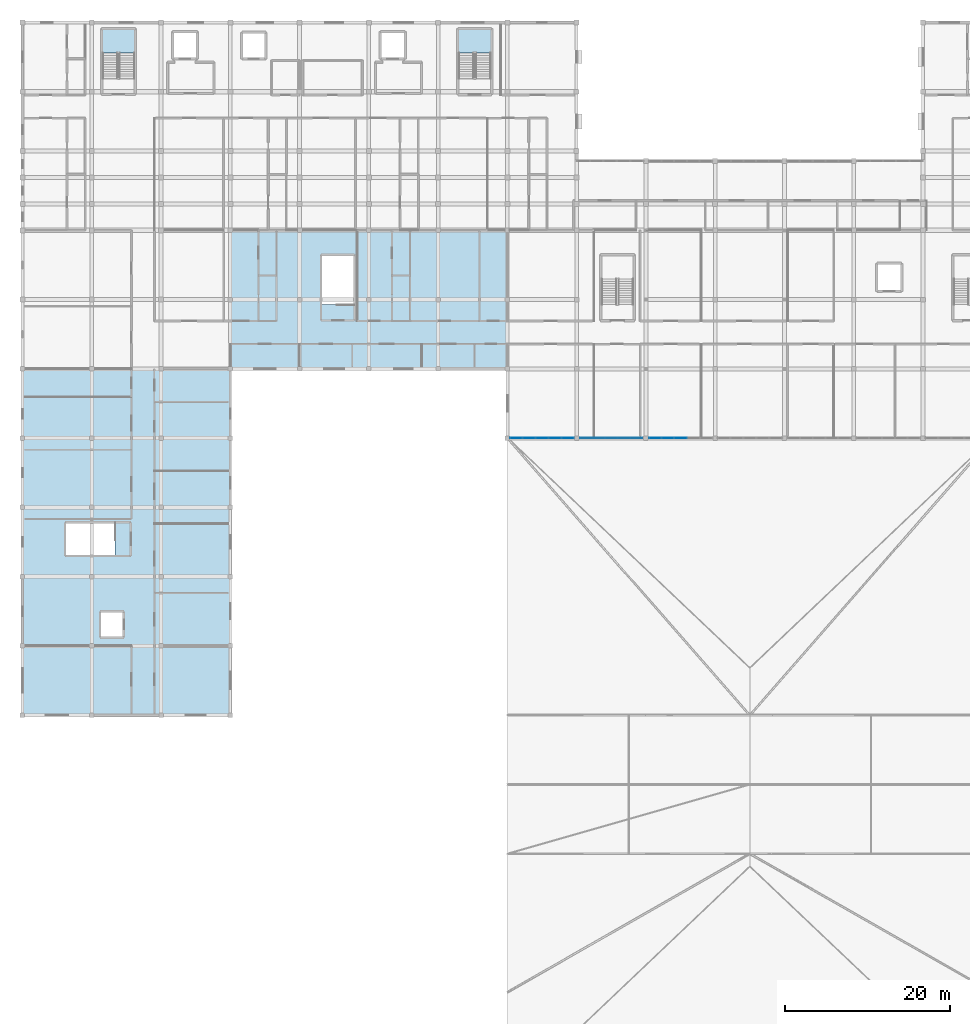
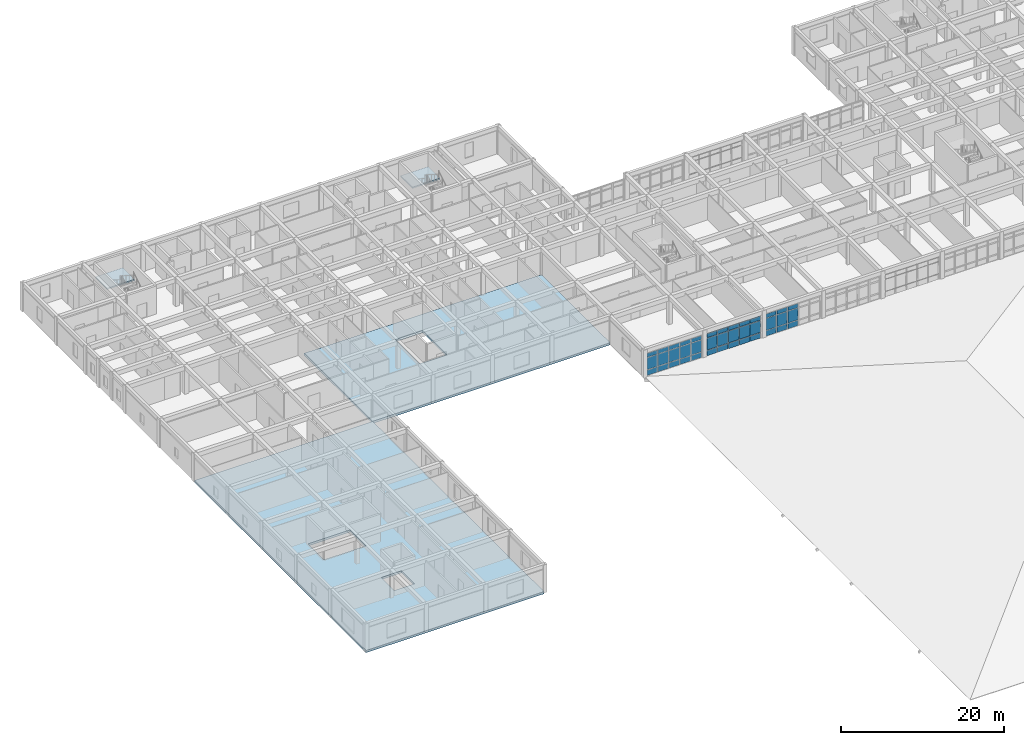
# One storey, part 34 of 77: 39 plates, 4 slabs, 5 elements without a shape of their own.
"""IFC4 building model written with IfcOpenShell, lengths in metres."""

import ifcopenshell
import ifcopenshell.guid

model = None  # the IFC model being written
_history = None  # IfcOwnerHistory: only IFC2X3 demands one
_inside = {}  # id of a spatial element -> (the spatial element, [elements in it])
_under = {}  # id of a project, library or spatial element -> (it, [spatial elements below it])
_declared = {}  # id of a project -> (the project, [libraries it declares])
_typed = {}  # id of a type object -> (the type object, [elements of that type])
_made_of = {}  # id of a material, layer set ... -> (it, [elements and type objects made of it])


def new_model(schema):
    """Start an empty IFC model of exactly this schema.

    Asked for "IFC4X3", IfcOpenShell would pick the latest addendum, in which some entities
    have other attributes; the version numbers below select the first issue.
    IFC2X3 requires an IfcOwnerHistory on every rooted entity: one is made here for all.
    """
    global model, _history
    if schema == "IFC4X3":
        model = ifcopenshell.file(schema_version=(4, 3, 0, 0))
    else:
        model = ifcopenshell.file(schema=schema)
    _inside.clear()
    _under.clear()
    _declared.clear()
    _typed.clear()
    _made_of.clear()
    _history = None
    if model.schema == "IFC2X3":
        org = make("IfcOrganization", Name="unknown")
        user = make(
            "IfcPersonAndOrganization",
            ThePerson=make("IfcPerson", FamilyName="unknown"),
            TheOrganization=org,
        )
        app = make(
            "IfcApplication",
            ApplicationDeveloper=org,
            Version="unknown",
            ApplicationFullName="unknown",
            ApplicationIdentifier="unknown",
        )
        _history = make(
            "IfcOwnerHistory",
            OwningUser=user,
            OwningApplication=app,
            ChangeAction="ADDED",
            CreationDate=0,
        )
    return model


def make(cls, **values):
    """One entity of the class cls with the attributes given. An attribute that is None is left unset."""
    return model.create_entity(
        cls, **{name: value for name, value in values.items() if value is not None}
    )


def rooted(cls, **values):
    """An entity with a GlobalId (a new one), such as an element, a storey or a relation."""
    return make(cls, GlobalId=ifcopenshell.guid.new(), OwnerHistory=_history, **values)


def si_unit(unit_type, name, prefix=None):
    """IfcSIUnit, for example si_unit("LENGTHUNIT", "METRE", prefix="MILLI")."""
    return make("IfcSIUnit", UnitType=unit_type, Prefix=prefix, Name=name)


def assignment(units):
    """IfcUnitAssignment: the units of a project."""
    return None if units is None else make("IfcUnitAssignment", Units=units)


def point(xyz):
    """IfcCartesianPoint."""
    return None if xyz is None else make("IfcCartesianPoint", Coordinates=xyz)


def direction(xyz):
    """IfcDirection."""
    return None if xyz is None else make("IfcDirection", DirectionRatios=xyz)


def frame(location, z_axis=None, x_axis=None):
    """IfcAxis2Placement3D, a coordinate frame: its origin and axes. An axis left out is left unset."""
    return make(
        "IfcAxis2Placement3D",
        Location=point(location),
        Axis=direction(z_axis),
        RefDirection=direction(x_axis),
    )


def frame_2d(location, x_axis=None):
    """IfcAxis2Placement2D, a coordinate frame in the plane: its origin and x axis."""
    return make(
        "IfcAxis2Placement2D", Location=point(location), RefDirection=direction(x_axis)
    )


def origin():
    """The frame at (0, 0, 0) with its axes left unset."""
    return frame((0.0, 0.0, 0.0))


def origin_2d():
    """The frame at (0, 0) in the plane with its x axis left unset."""
    return frame_2d((0.0, 0.0))


def place(relative_to, where):
    """IfcLocalPlacement: puts the frame where relative to a parent placement (None: the world)."""
    return make(
        "IfcLocalPlacement", PlacementRelTo=relative_to, RelativePlacement=where
    )


def context(
    kind, dimensions, precision=None, world=None, true_north=None, identifier=None
):
    """IfcGeometricRepresentationContext, for example the 3D "Model" context."""
    return make(
        "IfcGeometricRepresentationContext",
        ContextIdentifier=identifier,
        ContextType=kind,
        CoordinateSpaceDimension=dimensions,
        Precision=precision,
        WorldCoordinateSystem=world,
        TrueNorth=true_north,
    )


def subcontext(parent, identifier, kind, view, scale=None):
    """IfcGeometricRepresentationSubContext, for example "Body" below "Model"."""
    return make(
        "IfcGeometricRepresentationSubContext",
        ContextIdentifier=identifier,
        ContextType=kind,
        ParentContext=parent,
        TargetScale=scale,
        TargetView=view,
    )


def project(units=None, contexts=None):
    """IfcProject with its units and contexts."""
    return rooted(
        "IfcProject",
        Name="project",
        RepresentationContexts=contexts,
        UnitsInContext=assignment(units),
    )


def spatial(cls, under=None, at=None, **own):
    """A site, building, storey or space (cls), placed at a placement, below another one or the project."""
    s = rooted(cls, ObjectPlacement=at, **own)
    if under is not None:
        _under.setdefault(under.id(), (under, []))[1].append(s)
    return s


def polyline(points):
    """IfcPolyline through the points."""
    return make("IfcPolyline", Points=[point(p) for p in points])


def profile(cls, at=None, kind="AREA", **sizes):
    """A parametric profile (cls). Its sizes go by their IFC names, for example OverallWidth=200.0."""
    return make(cls, ProfileType=kind, Position=at, **sizes)


def rectangle(**sizes):
    """IfcRectangleProfileDef."""
    return profile("IfcRectangleProfileDef", **sizes)


def outline(outer, holes=None, kind="AREA"):
    """IfcArbitraryClosedProfileDef: a profile drawn as a closed curve; with holes, ...WithVoids."""
    if holes is None:
        return make("IfcArbitraryClosedProfileDef", ProfileType=kind, OuterCurve=outer)
    return make(
        "IfcArbitraryProfileDefWithVoids",
        ProfileType=kind,
        OuterCurve=outer,
        InnerCurves=holes,
    )


def extrude(swept, where, along, depth):
    """IfcExtrudedAreaSolid: the profile swept, set in the frame where, extruded along a direction by depth."""
    return make(
        "IfcExtrudedAreaSolid",
        SweptArea=swept,
        Position=where,
        ExtrudedDirection=direction(along),
        Depth=depth,
    )


def shape(context_of_items, identifier, shape_type, items):
    """IfcShapeRepresentation: the items that make up one representation, for example the "Body"."""
    return make(
        "IfcShapeRepresentation",
        ContextOfItems=context_of_items,
        RepresentationIdentifier=identifier,
        RepresentationType=shape_type,
        Items=items,
    )


def material(Name=None, Category=None):
    """IfcMaterial."""
    return make("IfcMaterial", Name=Name, Category=Category)


def layer(
    of_material, thickness, ventilated=None, Name=None, Category=None, Priority=None
):
    """IfcMaterialLayer: one layer of a wall or slab, of a material (None: an air gap)."""
    return make(
        "IfcMaterialLayer",
        Material=of_material,
        LayerThickness=thickness,
        IsVentilated=ventilated,
        Name=Name,
        Category=Category,
        Priority=Priority,
    )


def layer_set(layers, Name=None):
    """IfcMaterialLayerSet."""
    return make("IfcMaterialLayerSet", MaterialLayers=layers, LayerSetName=Name)


def made_of(thing, what):
    """Note that an element or type object is made of a material, layer set ...; save() writes the relation."""
    if what is not None:
        _made_of.setdefault(what.id(), (what, []))[1].append(thing)
    return thing


def type_object(cls, material=None, **own):
    """A type object (cls), such as IfcWallType, which elements share."""
    return made_of(rooted(cls, **own), material)


def element(
    cls,
    number,
    at=None,
    inside=None,
    cuts=None,
    type_object=None,
    material=None,
    context=None,
    identifier="Body",
    shape_type=None,
    held_by="IfcProductDefinitionShape",
    body=None,
    shapes=None,
    **own,
):
    """One element of the class cls, such as IfcWall. Its Tag is "e" and its number.

    at: its placement. inside: the storey or other place that contains it. cuts: it is an
    opening in that element (IfcRelVoidsElement). A single representation is given by context,
    identifier, shape_type and body (its items); several are given by shapes. held_by: the class
    of the entity that holds the representations. save() writes the other relations.
    """
    e = rooted(cls, Tag="e%d" % number, ObjectPlacement=at, **own)
    if body is not None:
        shapes = [shape(context, identifier, shape_type, body)]
    if shapes is not None:
        e.Representation = make(held_by, Representations=shapes)
    if inside is not None:
        _inside.setdefault(inside.id(), (inside, []))[1].append(e)
    if cuts is not None:
        rooted(
            "IfcRelVoidsElement", RelatingBuildingElement=cuts, RelatedOpeningElement=e
        )
    if type_object is not None:
        _typed.setdefault(type_object.id(), (type_object, []))[1].append(e)
    return made_of(e, material)


def aggregate(whole, parts):
    """IfcRelAggregates: a whole, such as a stair, and the parts it consists of."""
    return rooted("IfcRelAggregates", RelatingObject=whole, RelatedObjects=parts)


def save(model, path):
    """Write the relations noted so far, then the file.

    IfcRelAggregates (storeys below a building ...), IfcRelContainedInSpatialStructure (elements
    in a storey), IfcRelDefinesByType, IfcRelAssociatesMaterial and IfcRelDeclares: one each for
    every whole, place, type object, material and project.
    """
    for whole, parts in _under.values():
        aggregate(whole, parts)
    for where, things in _inside.values():
        rooted(
            "IfcRelContainedInSpatialStructure",
            RelatedElements=things,
            RelatingStructure=where,
        )
    for kind, things in _typed.values():
        rooted("IfcRelDefinesByType", RelatedObjects=things, RelatingType=kind)
    for what, things in _made_of.values():
        rooted("IfcRelAssociatesMaterial", RelatedObjects=things, RelatingMaterial=what)
    for by, libraries in _declared.values():
        rooted("IfcRelDeclares", RelatingContext=by, RelatedDefinitions=libraries)
    model.write(path)


model = new_model("IFC4")

# Units and contexts
model_context = context("Model", 3, precision=1e-05, world=origin(), true_north=direction((0.0, 1.0)))
body_context = subcontext(model_context, "Body", "Model", "MODEL_VIEW")
ifc_project = project(units=[si_unit("LENGTHUNIT", "METRE"), si_unit("AREAUNIT", "SQUARE_METRE"), si_unit("VOLUMEUNIT", "CUBIC_METRE"), si_unit("PLANEANGLEUNIT", "RADIAN"), si_unit("MASSUNIT", "GRAM", prefix="KILO")], contexts=[model_context])

# Site, building, storey
site_placement = place(None, origin())
site = spatial("IfcSite", under=ifc_project, at=site_placement, CompositionType="ELEMENT")
building_placement = place(site_placement, origin())
building = spatial("IfcBuilding", under=site, at=building_placement, Name="Varncliffe General Hospital", CompositionType="ELEMENT")
storey_placement = place(building_placement, frame((0.0, 0.0, 16.199951171875)))
storey = spatial("IfcBuildingStorey", under=building, at=storey_placement, Name="L03", CompositionType="ELEMENT", Elevation=16.199951171875)

# Curtain wall, plates
ifc_material_1 = material(Name="Triple low-E argon insulated vision glazing", Category="glass")
curtain_wall_type_1 = type_object("IfcCurtainWallType", Name="Unitised Glazed Curtain Wall CW23 (7774x3440)", PredefinedType="USERDEFINED", material=ifc_material_1)
curtain_wall_1_placement = place(storey_placement, origin())
curtain_wall_1 = element("IfcCurtainWall", 1, at=curtain_wall_1_placement, inside=storey, type_object=curtain_wall_type_1, Name="L03 Glazed Curtain Wall CW23-178", ObjectType="GLAZED CURTAIN WALL", PredefinedType="USERDEFINED")
ifc_layer_1 = layer(ifc_material_1, 0.035888671875)
ifc_layer_set_1 = layer_set([ifc_layer_1], Name="Triple low-E argon insulated vision glazing")
plate_type_1 = type_object("IfcPlateType", Name="Curtain Wall Glazing Panel CP27 (36mm)", PredefinedType="CURTAIN_PANEL", material=ifc_layer_set_1)
plate_1_placement = place(storey_placement, frame((79.800048828125, 74.39990234375, 0.06005859375), z_axis=(0.0, 0.0, 1.0), x_axis=(-1.0, 0.0, 0.0)))
plate_1 = element("IfcPlate", 2, at=plate_1_placement, type_object=plate_type_1, Name="CW23 panel 3.1", PredefinedType="CURTAIN_PANEL", context=body_context, shape_type="SweptSolid", body=[
    extrude(rectangle(XDim=1.479736328125, YDim=0.035888671875, at=origin_2d()), origin(), (0.0, 0.0, 1.0), 0.81005859375),
])
plate_2_placement = place(storey_placement, frame((79.800048828125, 74.39990234375, 0.93017578125), z_axis=(0.0, 0.0, 1.0), x_axis=(-1.0, 0.0, 0.0)))
plate_2 = element("IfcPlate", 3, at=plate_2_placement, type_object=plate_type_1, Name="CW23 panel 3.2", PredefinedType="CURTAIN_PANEL", context=body_context, shape_type="SweptSolid", body=[
    extrude(rectangle(XDim=1.479736328125, YDim=0.035888671875, at=origin_2d()), origin(), (0.0, 0.0, 1.0), 1.780029296875),
])
plate_3_placement = place(storey_placement, frame((79.800048828125, 74.39990234375, 2.77001953125), z_axis=(0.0, 0.0, 1.0), x_axis=(-1.0, 0.0, 0.0)))
plate_3 = element("IfcPlate", 4, at=plate_3_placement, type_object=plate_type_1, Name="CW23 panel 3.3", PredefinedType="CURTAIN_PANEL", context=body_context, shape_type="SweptSolid", body=[
    extrude(rectangle(XDim=1.479736328125, YDim=0.035888671875, at=origin_2d()), origin(), (0.0, 0.0, 1.0), 0.610107421875),
])
plate_4_placement = place(storey_placement, frame((78.2451171875, 74.39990234375, 0.06005859375), z_axis=(0.0, 0.0, 1.0), x_axis=(-1.0, 0.0, 0.0)))
plate_4 = element("IfcPlate", 5, at=plate_4_placement, type_object=plate_type_1, Name="CW23 panel 4.1", PredefinedType="CURTAIN_PANEL", context=body_context, shape_type="SweptSolid", body=[
    extrude(rectangle(XDim=1.479736328125, YDim=0.035888671875, at=origin_2d()), origin(), (0.0, 0.0, 1.0), 0.81005859375),
])
plate_5_placement = place(storey_placement, frame((78.2451171875, 74.39990234375, 0.93017578125), z_axis=(0.0, 0.0, 1.0), x_axis=(-1.0, 0.0, 0.0)))
plate_5 = element("IfcPlate", 6, at=plate_5_placement, type_object=plate_type_1, Name="CW23 panel 4.2", PredefinedType="CURTAIN_PANEL", context=body_context, shape_type="SweptSolid", body=[
    extrude(rectangle(XDim=1.479736328125, YDim=0.035888671875, at=origin_2d()), origin(), (0.0, 0.0, 1.0), 1.780029296875),
])
plate_6_placement = place(storey_placement, frame((78.2451171875, 74.39990234375, 2.77001953125), z_axis=(0.0, 0.0, 1.0), x_axis=(-1.0, 0.0, 0.0)))
plate_6 = element("IfcPlate", 7, at=plate_6_placement, type_object=plate_type_1, Name="CW23 panel 4.3", PredefinedType="CURTAIN_PANEL", context=body_context, shape_type="SweptSolid", body=[
    extrude(rectangle(XDim=1.479736328125, YDim=0.035888671875, at=origin_2d()), origin(), (0.0, 0.0, 1.0), 0.610107421875),
])
plate_7_placement = place(storey_placement, frame((76.709228515625, 74.39990234375, 0.06005859375), z_axis=(0.0, 0.0, 1.0), x_axis=(-1.0, 0.0, 0.0)))
plate_7 = element("IfcPlate", 8, at=plate_7_placement, type_object=plate_type_1, Name="CW23 panel 5.1", PredefinedType="CURTAIN_PANEL", context=body_context, shape_type="SweptSolid", body=[
    extrude(rectangle(XDim=1.4423828125, YDim=0.035888671875, at=origin_2d()), origin(), (0.0, 0.0, 1.0), 0.81005859375),
])
plate_8_placement = place(storey_placement, frame((76.709228515625, 74.39990234375, 0.93017578125), z_axis=(0.0, 0.0, 1.0), x_axis=(-1.0, 0.0, 0.0)))
plate_8 = element("IfcPlate", 9, at=plate_8_placement, type_object=plate_type_1, Name="CW23 panel 5.2", PredefinedType="CURTAIN_PANEL", context=body_context, shape_type="SweptSolid", body=[
    extrude(rectangle(XDim=1.4423828125, YDim=0.035888671875, at=origin_2d()), origin(), (0.0, 0.0, 1.0), 1.780029296875),
])
plate_9_placement = place(storey_placement, frame((76.709228515625, 74.39990234375, 2.77001953125), z_axis=(0.0, 0.0, 1.0), x_axis=(-1.0, 0.0, 0.0)))
plate_9 = element("IfcPlate", 10, at=plate_9_placement, type_object=plate_type_1, Name="CW23 panel 5.3", PredefinedType="CURTAIN_PANEL", context=body_context, shape_type="SweptSolid", body=[
    extrude(rectangle(XDim=1.4423828125, YDim=0.035888671875, at=origin_2d()), origin(), (0.0, 0.0, 1.0), 0.610107421875),
])
aggregate(curtain_wall_1, [plate_1, plate_2, plate_3, plate_4, plate_5, plate_6, plate_7, plate_8, plate_9])

curtain_wall_type_2 = type_object("IfcCurtainWallType", Name="Unitised Glazed Curtain Wall CW37 (7694x3440)", PredefinedType="USERDEFINED", material=ifc_material_1)
curtain_wall_2_placement = place(storey_placement, origin())
curtain_wall_2 = element("IfcCurtainWall", 11, at=curtain_wall_2_placement, inside=storey, type_object=curtain_wall_type_2, Name="L03 Glazed Curtain Wall CW37-179", ObjectType="GLAZED CURTAIN WALL", PredefinedType="USERDEFINED")
ifc_material_2 = material(Name="Insulated ceramic-fritted spandrel glazing panel", Category="glass")
ifc_layer_2 = layer(ifc_material_2, 0.06396484375)
ifc_layer_set_2 = layer_set([ifc_layer_2], Name="Insulated ceramic-fritted spandrel glazing panel")
plate_type_2 = type_object("IfcPlateType", Name="Curtain Wall Glazing Panel CP41 (64mm)", PredefinedType="CURTAIN_PANEL", material=ifc_layer_set_2)
plate_10_placement = place(storey_placement, frame((74.46142578125, 74.39990234375, 0.06005859375), z_axis=(0.0, 0.0, 1.0), x_axis=(-1.0, 0.0, 0.0)))
plate_10 = element("IfcPlate", 12, at=plate_10_placement, type_object=plate_type_2, Name="CW37 panel 1.1", PredefinedType="CURTAIN_PANEL", context=body_context, shape_type="SweptSolid", body=[
    extrude(rectangle(XDim=1.44140625, YDim=0.06396484375, at=origin_2d()), origin(), (0.0, 0.0, 1.0), 0.81005859375),
])
plate_11_placement = place(storey_placement, frame((74.46142578125, 74.39990234375, 0.93017578125), z_axis=(0.0, 0.0, 1.0), x_axis=(-1.0, 0.0, 0.0)))
plate_11 = element("IfcPlate", 13, at=plate_11_placement, type_object=plate_type_2, Name="CW37 panel 1.2", PredefinedType="CURTAIN_PANEL", context=body_context, shape_type="SweptSolid", body=[
    extrude(rectangle(XDim=1.44140625, YDim=0.06396484375, at=origin_2d()), origin(), (0.0, 0.0, 1.0), 1.780029296875),
])
plate_12_placement = place(storey_placement, frame((74.46142578125, 74.39990234375, 2.77001953125), z_axis=(0.0, 0.0, 1.0), x_axis=(-1.0, 0.0, 0.0)))
plate_12 = element("IfcPlate", 14, at=plate_12_placement, type_object=plate_type_2, Name="CW37 panel 1.3", PredefinedType="CURTAIN_PANEL", context=body_context, shape_type="SweptSolid", body=[
    extrude(rectangle(XDim=1.44140625, YDim=0.06396484375, at=origin_2d()), origin(), (0.0, 0.0, 1.0), 0.610107421875),
])
plate_13_placement = place(storey_placement, frame((72.938720703125, 74.39990234375, 0.06005859375), z_axis=(0.0, 0.0, 1.0), x_axis=(-1.0, 0.0, 0.0)))
plate_13 = element("IfcPlate", 15, at=plate_13_placement, type_object=plate_type_2, Name="CW37 panel 2.1", PredefinedType="CURTAIN_PANEL", context=body_context, shape_type="SweptSolid", body=[
    extrude(rectangle(XDim=1.473876953125, YDim=0.06396484375, at=origin_2d()), origin(), (0.0, 0.0, 1.0), 0.81005859375),
])
plate_14_placement = place(storey_placement, frame((72.938720703125, 74.39990234375, 0.93017578125), z_axis=(0.0, 0.0, 1.0), x_axis=(-1.0, 0.0, 0.0)))
plate_14 = element("IfcPlate", 16, at=plate_14_placement, type_object=plate_type_2, Name="CW37 panel 2.2", PredefinedType="CURTAIN_PANEL", context=body_context, shape_type="SweptSolid", body=[
    extrude(rectangle(XDim=1.473876953125, YDim=0.06396484375, at=origin_2d()), origin(), (0.0, 0.0, 1.0), 1.780029296875),
])
plate_15_placement = place(storey_placement, frame((72.938720703125, 74.39990234375, 2.77001953125), z_axis=(0.0, 0.0, 1.0), x_axis=(-1.0, 0.0, 0.0)))
plate_15 = element("IfcPlate", 17, at=plate_15_placement, type_object=plate_type_2, Name="CW37 panel 2.3", PredefinedType="CURTAIN_PANEL", context=body_context, shape_type="SweptSolid", body=[
    extrude(rectangle(XDim=1.473876953125, YDim=0.06396484375, at=origin_2d()), origin(), (0.0, 0.0, 1.0), 0.610107421875),
])
plate_16_placement = place(storey_placement, frame((71.39990234375, 74.39990234375, 0.06005859375), z_axis=(0.0, 0.0, 1.0), x_axis=(-1.0, 0.0, 0.0)))
plate_16 = element("IfcPlate", 18, at=plate_16_placement, type_object=plate_type_2, Name="CW37 panel 3.1", PredefinedType="CURTAIN_PANEL", context=body_context, shape_type="SweptSolid", body=[
    extrude(rectangle(XDim=1.473876953125, YDim=0.06396484375, at=origin_2d()), origin(), (0.0, 0.0, 1.0), 0.81005859375),
])
plate_17_placement = place(storey_placement, frame((71.39990234375, 74.39990234375, 0.93017578125), z_axis=(0.0, 0.0, 1.0), x_axis=(-1.0, 0.0, 0.0)))
plate_17 = element("IfcPlate", 19, at=plate_17_placement, type_object=plate_type_2, Name="CW37 panel 3.2", PredefinedType="CURTAIN_PANEL", context=body_context, shape_type="SweptSolid", body=[
    extrude(rectangle(XDim=1.473876953125, YDim=0.06396484375, at=origin_2d()), origin(), (0.0, 0.0, 1.0), 1.780029296875),
])
plate_18_placement = place(storey_placement, frame((71.39990234375, 74.39990234375, 2.77001953125), z_axis=(0.0, 0.0, 1.0), x_axis=(-1.0, 0.0, 0.0)))
plate_18 = element("IfcPlate", 20, at=plate_18_placement, type_object=plate_type_2, Name="CW37 panel 3.3", PredefinedType="CURTAIN_PANEL", context=body_context, shape_type="SweptSolid", body=[
    extrude(rectangle(XDim=1.473876953125, YDim=0.06396484375, at=origin_2d()), origin(), (0.0, 0.0, 1.0), 0.610107421875),
])
plate_19_placement = place(storey_placement, frame((69.861083984375, 74.39990234375, 0.06005859375), z_axis=(0.0, 0.0, 1.0), x_axis=(-1.0, 0.0, 0.0)))
plate_19 = element("IfcPlate", 21, at=plate_19_placement, type_object=plate_type_2, Name="CW37 panel 4.1", PredefinedType="CURTAIN_PANEL", context=body_context, shape_type="SweptSolid", body=[
    extrude(rectangle(XDim=1.473876953125, YDim=0.06396484375, at=origin_2d()), origin(), (0.0, 0.0, 1.0), 0.81005859375),
])
plate_20_placement = place(storey_placement, frame((69.861083984375, 74.39990234375, 0.93017578125), z_axis=(0.0, 0.0, 1.0), x_axis=(-1.0, 0.0, 0.0)))
plate_20 = element("IfcPlate", 22, at=plate_20_placement, type_object=plate_type_2, Name="CW37 panel 4.2", PredefinedType="CURTAIN_PANEL", context=body_context, shape_type="SweptSolid", body=[
    extrude(rectangle(XDim=1.473876953125, YDim=0.06396484375, at=origin_2d()), origin(), (0.0, 0.0, 1.0), 1.780029296875),
])
plate_21_placement = place(storey_placement, frame((69.861083984375, 74.39990234375, 2.77001953125), z_axis=(0.0, 0.0, 1.0), x_axis=(-1.0, 0.0, 0.0)))
plate_21 = element("IfcPlate", 23, at=plate_21_placement, type_object=plate_type_2, Name="CW37 panel 4.3", PredefinedType="CURTAIN_PANEL", context=body_context, shape_type="SweptSolid", body=[
    extrude(rectangle(XDim=1.473876953125, YDim=0.06396484375, at=origin_2d()), origin(), (0.0, 0.0, 1.0), 0.610107421875),
])
plate_22_placement = place(storey_placement, frame((68.338623046875, 74.39990234375, 0.06005859375), z_axis=(0.0, 0.0, 1.0), x_axis=(-1.0, 0.0, 0.0)))
plate_22 = element("IfcPlate", 24, at=plate_22_placement, type_object=plate_type_2, Name="CW37 panel 5.1", PredefinedType="CURTAIN_PANEL", context=body_context, shape_type="SweptSolid", body=[
    extrude(rectangle(XDim=1.44140625, YDim=0.06396484375, at=origin_2d()), origin(), (0.0, 0.0, 1.0), 0.81005859375),
])
plate_23_placement = place(storey_placement, frame((68.338623046875, 74.39990234375, 0.93017578125), z_axis=(0.0, 0.0, 1.0), x_axis=(-1.0, 0.0, 0.0)))
plate_23 = element("IfcPlate", 25, at=plate_23_placement, type_object=plate_type_2, Name="CW37 panel 5.2", PredefinedType="CURTAIN_PANEL", context=body_context, shape_type="SweptSolid", body=[
    extrude(rectangle(XDim=1.44140625, YDim=0.06396484375, at=origin_2d()), origin(), (0.0, 0.0, 1.0), 1.780029296875),
])
plate_24_placement = place(storey_placement, frame((68.338623046875, 74.39990234375, 2.77001953125), z_axis=(0.0, 0.0, 1.0), x_axis=(-1.0, 0.0, 0.0)))
plate_24 = element("IfcPlate", 26, at=plate_24_placement, type_object=plate_type_2, Name="CW37 panel 5.3", PredefinedType="CURTAIN_PANEL", context=body_context, shape_type="SweptSolid", body=[
    extrude(rectangle(XDim=1.44140625, YDim=0.06396484375, at=origin_2d()), origin(), (0.0, 0.0, 1.0), 0.610107421875),
])
aggregate(curtain_wall_2, [plate_10, plate_11, plate_12, plate_13, plate_14, plate_15, plate_16, plate_17, plate_18, plate_19, plate_20, plate_21, plate_22, plate_23, plate_24])

curtain_wall_type_3 = type_object("IfcCurtainWallType", Name="Unitised Glazed Curtain Wall CW83 (7854x3440)", PredefinedType="USERDEFINED", material=ifc_material_1)
curtain_wall_3_placement = place(storey_placement, origin())
curtain_wall_3 = element("IfcCurtainWall", 27, at=curtain_wall_3_placement, inside=storey, type_object=curtain_wall_type_3, Name="L03 Glazed Curtain Wall CW83-180", ObjectType="GLAZED CURTAIN WALL", PredefinedType="USERDEFINED")
ifc_layer_3 = layer(ifc_material_1, 0.028076171875)
ifc_layer_set_3 = layer_set([ifc_layer_3], Name="Triple low-E argon insulated vision glazing")
plate_type_3 = type_object("IfcPlateType", Name="Curtain Wall Glazing Panel CP48 (28mm)", PredefinedType="CURTAIN_PANEL", material=ifc_layer_set_3)
plate_25_placement = place(storey_placement, frame((66.122802734375, 74.39990234375, 0.06494140625), z_axis=(0.0, 0.0, 1.0), x_axis=(-1.0, 0.0, 0.0)))
plate_25 = element("IfcPlate", 28, at=plate_25_placement, type_object=plate_type_3, Name="CW83 panel 1.1", PredefinedType="CURTAIN_PANEL", context=body_context, shape_type="SweptSolid", body=[
    extrude(rectangle(XDim=1.458251953125, YDim=0.028076171875, at=origin_2d()), origin(), (0.0, 0.0, 1.0), 0.802490234375),
])
plate_26_placement = place(storey_placement, frame((66.122802734375, 74.39990234375, 0.9326171875), z_axis=(0.0, 0.0, 1.0), x_axis=(-1.0, 0.0, 0.0)))
plate_26 = element("IfcPlate", 29, at=plate_26_placement, type_object=plate_type_3, Name="CW83 panel 1.2", PredefinedType="CURTAIN_PANEL", context=body_context, shape_type="SweptSolid", body=[
    extrude(rectangle(XDim=1.458251953125, YDim=0.028076171875, at=origin_2d()), origin(), (0.0, 0.0, 1.0), 1.77490234375),
])
plate_27_placement = place(storey_placement, frame((66.122802734375, 74.39990234375, 2.7724609375), z_axis=(0.0, 0.0, 1.0), x_axis=(-1.0, 0.0, 0.0)))
plate_27 = element("IfcPlate", 30, at=plate_27_placement, type_object=plate_type_3, Name="CW83 panel 1.3", PredefinedType="CURTAIN_PANEL", context=body_context, shape_type="SweptSolid", body=[
    extrude(rectangle(XDim=1.458251953125, YDim=0.028076171875, at=origin_2d()), origin(), (0.0, 0.0, 1.0), 0.6025390625),
])
plate_28_placement = place(storey_placement, frame((64.57080078125, 74.39990234375, 0.06494140625), z_axis=(0.0, 0.0, 1.0), x_axis=(-1.0, 0.0, 0.0)))
plate_28 = element("IfcPlate", 31, at=plate_28_placement, type_object=plate_type_3, Name="CW83 panel 2.1", PredefinedType="CURTAIN_PANEL", context=body_context, shape_type="SweptSolid", body=[
    extrude(rectangle(XDim=1.495849609375, YDim=0.028076171875, at=origin_2d()), origin(), (0.0, 0.0, 1.0), 0.802490234375),
])
plate_29_placement = place(storey_placement, frame((64.57080078125, 74.39990234375, 0.9326171875), z_axis=(0.0, 0.0, 1.0), x_axis=(-1.0, 0.0, 0.0)))
plate_29 = element("IfcPlate", 32, at=plate_29_placement, type_object=plate_type_3, Name="CW83 panel 2.2", PredefinedType="CURTAIN_PANEL", context=body_context, shape_type="SweptSolid", body=[
    extrude(rectangle(XDim=1.495849609375, YDim=0.028076171875, at=origin_2d()), origin(), (0.0, 0.0, 1.0), 1.77490234375),
])
plate_30_placement = place(storey_placement, frame((64.57080078125, 74.39990234375, 2.7724609375), z_axis=(0.0, 0.0, 1.0), x_axis=(-1.0, 0.0, 0.0)))
plate_30 = element("IfcPlate", 33, at=plate_30_placement, type_object=plate_type_3, Name="CW83 panel 2.3", PredefinedType="CURTAIN_PANEL", context=body_context, shape_type="SweptSolid", body=[
    extrude(rectangle(XDim=1.495849609375, YDim=0.028076171875, at=origin_2d()), origin(), (0.0, 0.0, 1.0), 0.6025390625),
])
plate_31_placement = place(storey_placement, frame((63.0, 74.39990234375, 0.06494140625), z_axis=(0.0, 0.0, 1.0), x_axis=(-1.0, 0.0, 0.0)))
plate_31 = element("IfcPlate", 34, at=plate_31_placement, type_object=plate_type_3, Name="CW83 panel 3.1", PredefinedType="CURTAIN_PANEL", context=body_context, shape_type="SweptSolid", body=[
    extrude(rectangle(XDim=1.495849609375, YDim=0.028076171875, at=origin_2d()), origin(), (0.0, 0.0, 1.0), 0.802490234375),
])
plate_32_placement = place(storey_placement, frame((63.0, 74.39990234375, 0.9326171875), z_axis=(0.0, 0.0, 1.0), x_axis=(-1.0, 0.0, 0.0)))
plate_32 = element("IfcPlate", 35, at=plate_32_placement, type_object=plate_type_3, Name="CW83 panel 3.2", PredefinedType="CURTAIN_PANEL", context=body_context, shape_type="SweptSolid", body=[
    extrude(rectangle(XDim=1.495849609375, YDim=0.028076171875, at=origin_2d()), origin(), (0.0, 0.0, 1.0), 1.77490234375),
])
plate_33_placement = place(storey_placement, frame((63.0, 74.39990234375, 2.7724609375), z_axis=(0.0, 0.0, 1.0), x_axis=(-1.0, 0.0, 0.0)))
plate_33 = element("IfcPlate", 36, at=plate_33_placement, type_object=plate_type_3, Name="CW83 panel 3.3", PredefinedType="CURTAIN_PANEL", context=body_context, shape_type="SweptSolid", body=[
    extrude(rectangle(XDim=1.495849609375, YDim=0.028076171875, at=origin_2d()), origin(), (0.0, 0.0, 1.0), 0.6025390625),
])
plate_34_placement = place(storey_placement, frame((61.42919921875, 74.39990234375, 0.06494140625), z_axis=(0.0, 0.0, 1.0), x_axis=(-1.0, 0.0, 0.0)))
plate_34 = element("IfcPlate", 37, at=plate_34_placement, type_object=plate_type_3, Name="CW83 panel 4.1", PredefinedType="CURTAIN_PANEL", context=body_context, shape_type="SweptSolid", body=[
    extrude(rectangle(XDim=1.495849609375, YDim=0.028076171875, at=origin_2d()), origin(), (0.0, 0.0, 1.0), 0.802490234375),
])
plate_35_placement = place(storey_placement, frame((61.42919921875, 74.39990234375, 0.9326171875), z_axis=(0.0, 0.0, 1.0), x_axis=(-1.0, 0.0, 0.0)))
plate_35 = element("IfcPlate", 38, at=plate_35_placement, type_object=plate_type_3, Name="CW83 panel 4.2", PredefinedType="CURTAIN_PANEL", context=body_context, shape_type="SweptSolid", body=[
    extrude(rectangle(XDim=1.495849609375, YDim=0.028076171875, at=origin_2d()), origin(), (0.0, 0.0, 1.0), 1.77490234375),
])
plate_36_placement = place(storey_placement, frame((61.42919921875, 74.39990234375, 2.7724609375), z_axis=(0.0, 0.0, 1.0), x_axis=(-1.0, 0.0, 0.0)))
plate_36 = element("IfcPlate", 39, at=plate_36_placement, type_object=plate_type_3, Name="CW83 panel 4.3", PredefinedType="CURTAIN_PANEL", context=body_context, shape_type="SweptSolid", body=[
    extrude(rectangle(XDim=1.495849609375, YDim=0.028076171875, at=origin_2d()), origin(), (0.0, 0.0, 1.0), 0.6025390625),
])
plate_37_placement = place(storey_placement, frame((59.877197265625, 74.39990234375, 0.06494140625), z_axis=(0.0, 0.0, 1.0), x_axis=(-1.0, 0.0, 0.0)))
plate_37 = element("IfcPlate", 40, at=plate_37_placement, type_object=plate_type_3, Name="CW83 panel 5.1", PredefinedType="CURTAIN_PANEL", context=body_context, shape_type="SweptSolid", body=[
    extrude(rectangle(XDim=1.458251953125, YDim=0.028076171875, at=origin_2d()), origin(), (0.0, 0.0, 1.0), 0.802490234375),
])
plate_38_placement = place(storey_placement, frame((59.877197265625, 74.39990234375, 0.9326171875), z_axis=(0.0, 0.0, 1.0), x_axis=(-1.0, 0.0, 0.0)))
plate_38 = element("IfcPlate", 41, at=plate_38_placement, type_object=plate_type_3, Name="CW83 panel 5.2", PredefinedType="CURTAIN_PANEL", context=body_context, shape_type="SweptSolid", body=[
    extrude(rectangle(XDim=1.458251953125, YDim=0.028076171875, at=origin_2d()), origin(), (0.0, 0.0, 1.0), 1.77490234375),
])
plate_39_placement = place(storey_placement, frame((59.877197265625, 74.39990234375, 2.7724609375), z_axis=(0.0, 0.0, 1.0), x_axis=(-1.0, 0.0, 0.0)))
plate_39 = element("IfcPlate", 42, at=plate_39_placement, type_object=plate_type_3, Name="CW83 panel 5.3", PredefinedType="CURTAIN_PANEL", context=body_context, shape_type="SweptSolid", body=[
    extrude(rectangle(XDim=1.458251953125, YDim=0.028076171875, at=origin_2d()), origin(), (0.0, 0.0, 1.0), 0.6025390625),
])
aggregate(curtain_wall_3, [plate_25, plate_26, plate_27, plate_28, plate_29, plate_30, plate_31, plate_32, plate_33, plate_34, plate_35, plate_36, plate_37, plate_38, plate_39])

# Slabs
ifc_material_3 = material(Name="Concrete C35/45 (CSA A23.1 35 MPa)", Category="concrete")
ifc_layer_4 = layer(ifc_material_3, 0.330078125)
ifc_layer_set_4 = layer_set([ifc_layer_4], Name="Concrete C35/45 (CSA A23.1 35 MPa)")
slab_type_1 = type_object("IfcSlabType", Name="Floor Slab SL28 (Int 330mm)", PredefinedType="FLOOR", material=ifc_layer_set_4)
slab_1_placement = place(storey_placement, frame((0.0, 0.0, -0.329833984375)))
element("IfcSlab", 43, at=slab_1_placement, inside=storey, type_object=slab_type_1, Name="L03 V3 Structural Floor Slab 1", PredefinedType="FLOOR", context=body_context, shape_type="SweptSolid", body=[
    extrude(outline(polyline([(25.199951171875, 40.800048828125), (0.0, 40.800048828125), (0.0, 82.800048828125), (25.199951171875, 82.800048828125), (25.199951171875, 40.800048828125)]), holes=[polyline([(11.199951171875, 64.10009765625), (5.25, 64.10009765625), (5.25, 60.199951171875), (11.199951171875, 60.199951171875), (11.199951171875, 64.10009765625)]), polyline([(9.39990234375, 50.199951171875), (12.300048828125, 50.199951171875), (12.300048828125, 53.39990234375), (9.39990234375, 53.39990234375), (9.39990234375, 50.199951171875)])]), origin(), (0.0, 0.0, 1.0), 0.329833984375),
])
slab_2_placement = place(storey_placement, frame((0.0, 0.0, -0.329833984375)))
element("IfcSlab", 44, at=slab_2_placement, inside=storey, type_object=slab_type_1, Name="L03 V3 Structural Floor Slab 2", PredefinedType="FLOOR", context=body_context, shape_type="SweptSolid", body=[
    extrude(outline(polyline([(25.199951171875, 99.60009765625), (58.800048828125, 99.60009765625), (58.800048828125, 82.800048828125), (25.199951171875, 82.800048828125), (25.199951171875, 99.60009765625)]), holes=[polyline([(40.199951171875, 90.60009765625), (40.199951171875, 96.550048828125), (36.300048828125, 96.550048828125), (36.300048828125, 90.60009765625), (40.199951171875, 90.60009765625)])]), origin(), (0.0, 0.0, 1.0), 0.329833984375),
])

# Stair, slab
stair_type = type_object("IfcStairType", Name="Hospital Stair Assembly ST-T03 (1850w-4200h)", PredefinedType="TWO_STRAIGHT_RUN_STAIR", material=ifc_material_3)
stair_1_placement = place(storey_placement, origin())
stair_1 = element("IfcStair", 45, at=stair_1_placement, inside=storey, type_object=stair_type, Name="L03 North-West Ward Exit Stair 1", PredefinedType="TWO_STRAIGHT_RUN_STAIR")
ifc_layer_5 = layer(ifc_material_3, 0.199951171875)
ifc_layer_set_5 = layer_set([ifc_layer_5], Name="Concrete C35/45 (CSA A23.1 35 MPa)")
slab_type_2 = type_object("IfcSlabType", Name="Reinforced Concrete Stair Landing LND50 (200mm)", PredefinedType="LANDING", material=ifc_layer_set_5)
slab_3_placement = place(storey_placement, frame((0.0, 0.0, 1.900146484375)))
slab_3 = element("IfcSlab", 46, at=slab_3_placement, type_object=slab_type_2, Name="ST01 landing 1", PredefinedType="LANDING", context=body_context, shape_type="SweptSolid", body=[
    extrude(outline(polyline([(13.60009765625, 121.080078125), (13.60009765625, 123.949951171875), (9.699951171875, 123.949951171875), (9.699951171875, 121.080078125), (13.60009765625, 121.080078125)])), origin(), (0.0, 0.0, 1.0), 0.199951171875),
])
aggregate(stair_1, [slab_3])

stair_2_placement = place(storey_placement, origin())
stair_2 = element("IfcStair", 47, at=stair_2_placement, inside=storey, type_object=stair_type, Name="L03 North-West Ward Exit Stair 2", PredefinedType="TWO_STRAIGHT_RUN_STAIR")
slab_4_placement = place(storey_placement, frame((0.0, 0.0, 1.900146484375)))
slab_4 = element("IfcSlab", 48, at=slab_4_placement, type_object=slab_type_2, Name="ST02 landing 1", PredefinedType="LANDING", context=body_context, shape_type="SweptSolid", body=[
    extrude(outline(polyline([(56.800048828125, 121.080078125), (56.800048828125, 123.949951171875), (52.89990234375, 123.949951171875), (52.89990234375, 121.080078125), (56.800048828125, 121.080078125)])), origin(), (0.0, 0.0, 1.0), 0.199951171875),
])
aggregate(stair_2, [slab_4])

save(model, "model.ifc")
